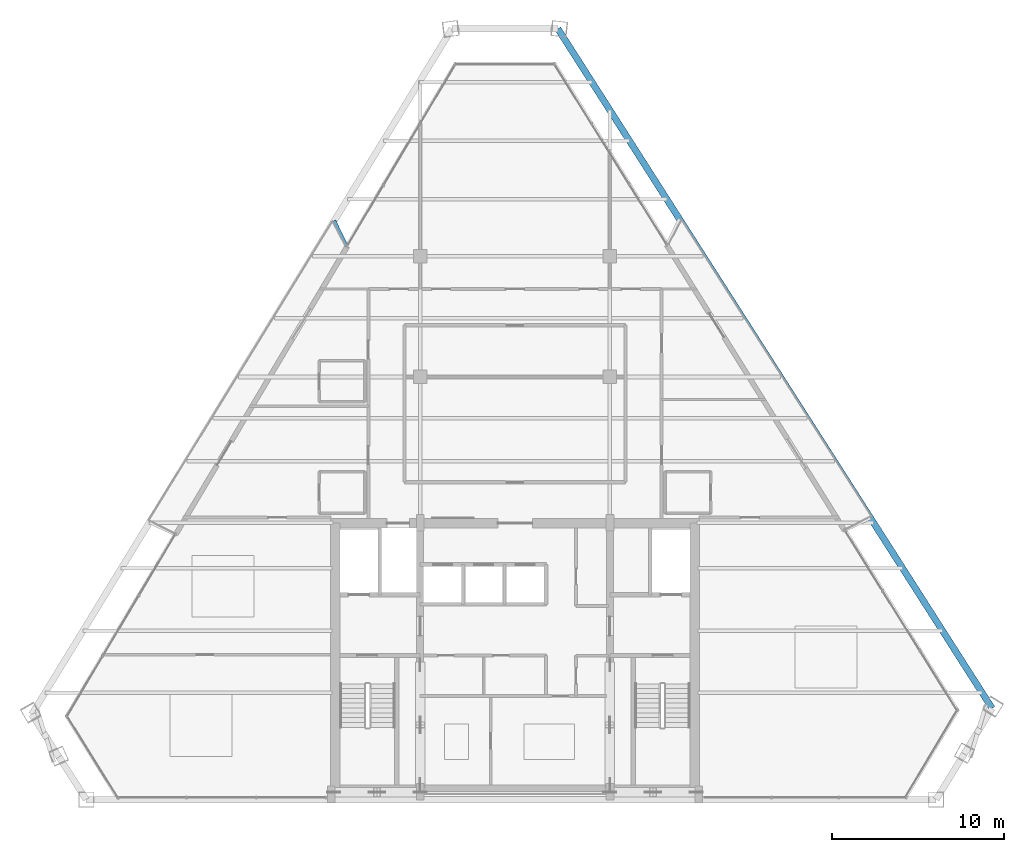
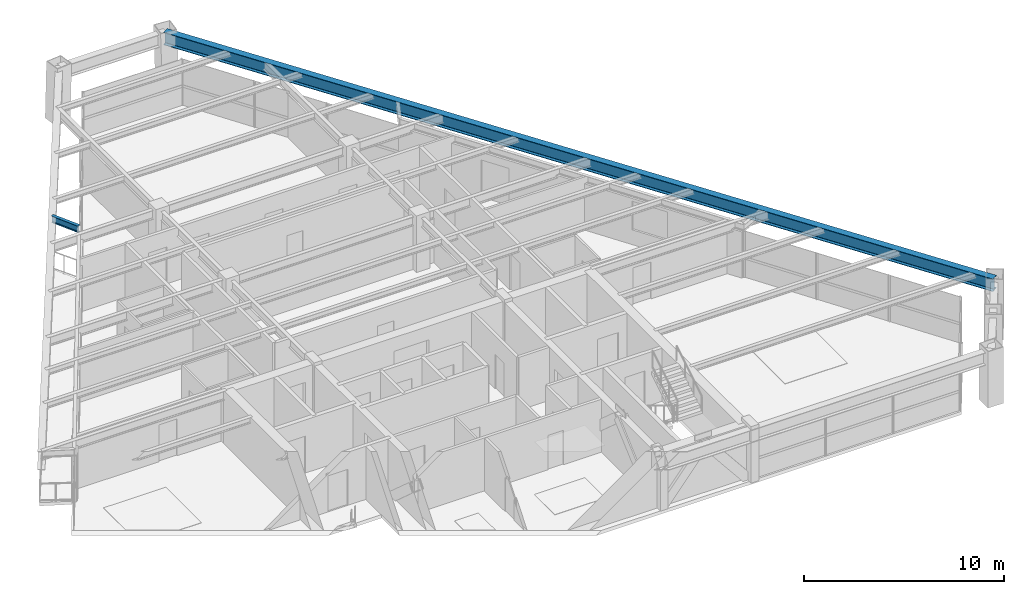
# One storey, part 5 of 12: 2 beams.
"""IFC4 building model written with IfcOpenShell, lengths in metres."""

from ifc_helpers import new_model, si_unit, direction, frame, origin, origin_2d, place, context, subcontext, project, spatial, i_section, extrude, source, transform, mapped, material, material_profile, profile_set, type_object, element, save


model = new_model("IFC4")

# Units and contexts
model_context = context("Model", 3, precision=1e-05, world=origin(), true_north=direction((0.0, 1.0)))
body_context = subcontext(model_context, "Body", "Model", "MODEL_VIEW")
ifc_project = project(units=[si_unit("LENGTHUNIT", "METRE"), si_unit("AREAUNIT", "SQUARE_METRE"), si_unit("VOLUMEUNIT", "CUBIC_METRE"), si_unit("PLANEANGLEUNIT", "RADIAN"), si_unit("MASSUNIT", "GRAM", prefix="KILO")], contexts=[model_context])

# Site, building, storey
site_placement = place(None, origin())
site = spatial("IfcSite", under=ifc_project, at=site_placement, CompositionType="ELEMENT")
building_placement = place(site_placement, origin())
building = spatial("IfcBuilding", under=site, at=building_placement, Name="Varnakhor Terracotta Tower", CompositionType="ELEMENT")
storey_placement = place(building_placement, frame((0.0, 0.0, 226.89990234375)))
storey = spatial("IfcBuildingStorey", under=building, at=storey_placement, Name="L58", CompositionType="ELEMENT", Elevation=226.89990234375)

# Beams
ifc_material = material(Name="Steel S355", Category="steel")
ifc_material_profile_1 = material_profile(ifc_material, i_section(OverallWidth=0.381103515625, OverallDepth=0.77294921875, WebThickness=0.01708984375, FlangeThickness=0.027099609375, FilletRadius=0.01806640625, at=origin_2d()), Name="W30X173")
ifc_profile_set_1 = profile_set([ifc_material_profile_1], Name="Steel S355")
beam_type_1 = type_object("IfcBeamType", Name="BM-W30X173", PredefinedType="BEAM", material=ifc_profile_set_1)
shared_shape_1 = source(origin(), body_context, "Body", "SweptSolid", [
    extrude(i_section(OverallWidth=0.381103515625, OverallDepth=0.77294921875, WebThickness=0.01708984375, FlangeThickness=0.027099609375, FilletRadius=0.01806640625, at=origin_2d()), origin(), (0.0, 0.0, 1.0), 46.755859375),
])
beam_1_placement = place(storey_placement, frame((27.65966796875, 5.291015625, 2.853515625), z_axis=(-0.538451385498, 0.842656576225, 0.0), x_axis=(-0.842656576225, -0.538451385498, 0.0)))
element("IfcBeam", 1, at=beam_1_placement, inside=storey, type_object=beam_type_1, Name="L58 Perimeter Spandrel 4", PredefinedType="BEAM", context=body_context, shape_type="MappedRepresentation", body=[
    mapped(shared_shape_1, transform((0.0, 0.0, 0.0), scale=1.0)),
])
ifc_material_profile_2 = material_profile(ifc_material, i_section(OverallWidth=0.179931640625, OverallDepth=0.39990234375, WebThickness=0.008544921875, FlangeThickness=0.013427734375, FilletRadius=0.01806640625, at=origin_2d()), Name="IPE400")
ifc_profile_set_2 = profile_set([ifc_material_profile_2], Name="Steel S355")
beam_type_2 = type_object("IfcBeamType", Name="JST-IPE400", PredefinedType="JOIST", material=ifc_profile_set_2)
shared_shape_2 = source(origin(), body_context, "Body", "SweptSolid", [
    extrude(i_section(OverallWidth=0.179931640625, OverallDepth=0.39990234375, WebThickness=0.008544921875, FlangeThickness=0.013427734375, FilletRadius=0.01806640625, at=origin_2d()), origin(), (0.0, 0.0, 1.0), 1.61962890625),
])
beam_2_placement = place(storey_placement, frame((-9.763916015625, 32.1044921875, 3.0400390625), z_axis=(-0.439115501891, 0.898430618356, 0.0), x_axis=(-0.898430618356, -0.439115501891, 0.0)))
element("IfcBeam", 2, at=beam_2_placement, inside=storey, type_object=beam_type_2, Name="L59 W Loggia Tie Beam 2", PredefinedType="JOIST", context=body_context, shape_type="MappedRepresentation", body=[
    mapped(shared_shape_2, transform((0.0, 0.0, 0.0), scale=1.0)),
])

save(model, "model.ifc")
